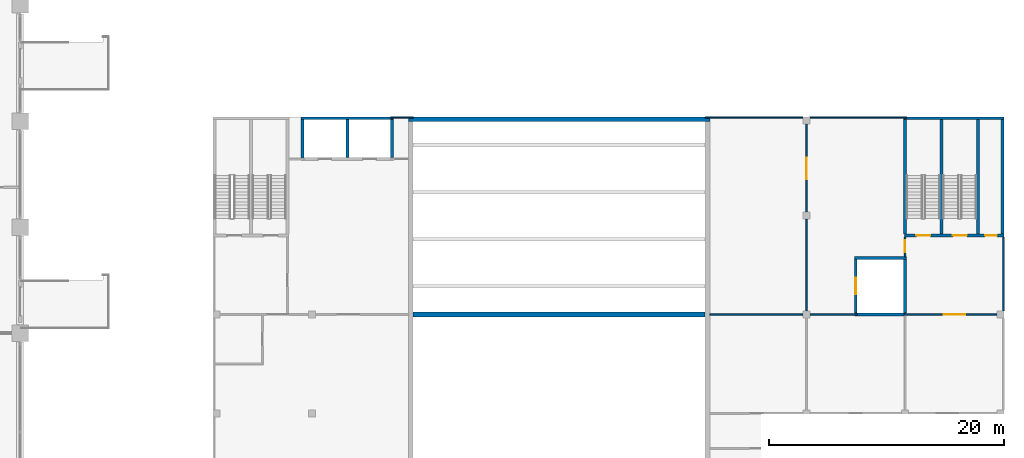
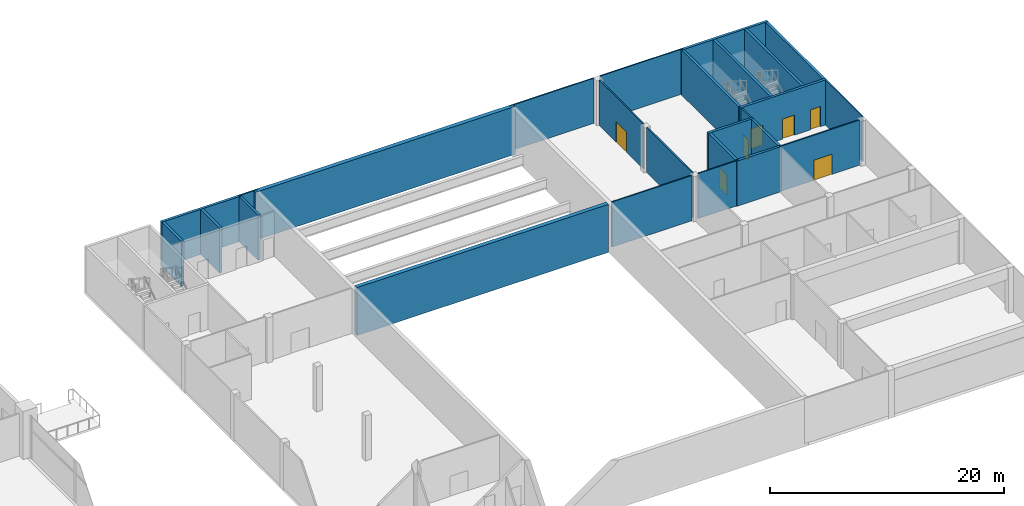
# One storey, part 25 of 33: 26 walls, 7 doors, 7 openings.
"""IFC4 building model written with IfcOpenShell, lengths in metres."""

from ifc_helpers import new_model, si_unit, direction, frame, frame_2d, origin, place, context, subcontext, project, spatial, rectangle, extrude, material, layer, layer_set, type_object, element, fill, save


model = new_model("IFC4")

# Units and contexts
model_context = context("Model", 3, precision=1e-05, world=origin(), true_north=direction((0.0, 1.0)))
body_context = subcontext(model_context, "Body", "Model", "MODEL_VIEW")
ifc_project = project(units=[si_unit("LENGTHUNIT", "METRE"), si_unit("AREAUNIT", "SQUARE_METRE"), si_unit("VOLUMEUNIT", "CUBIC_METRE"), si_unit("PLANEANGLEUNIT", "RADIAN"), si_unit("MASSUNIT", "GRAM", prefix="KILO")], contexts=[model_context])

# Site, building, storey
site_placement = place(None, origin())
site = spatial("IfcSite", under=ifc_project, at=site_placement, CompositionType="ELEMENT")
building_placement = place(site_placement, origin())
building = spatial("IfcBuilding", under=site, at=building_placement, Name="Candeia Pilgrim Tower and Theatre", CompositionType="ELEMENT")
storey_placement = place(building_placement, frame((0.0, 0.0, 29.0)))
storey = spatial("IfcBuildingStorey", under=building, at=storey_placement, Name="L04", CompositionType="ELEMENT", Elevation=29.0)

# Walls
ifc_material_1 = material(Name="Gypsum board on steel studs", Category="steel")
ifc_layer_1 = layer(ifc_material_1, 0.125)
ifc_layer_set_1 = layer_set([ifc_layer_1], Name="Partition 125")
wall_type_1 = type_object("IfcWallType", Name="Partition 125", PredefinedType="PARTITIONING", material=ifc_layer_set_1)
wall_1_placement = place(storey_placement, frame((218.199951171875, 99.60009765625, 0.0), z_axis=(0.0, 0.0, 1.0), x_axis=(1.0, 0.0, 0.0)))
element("IfcWall", 1, at=wall_1_placement, inside=storey, type_object=wall_type_1, Name="T-L04-W019", PredefinedType="PARTITIONING", context=body_context, shape_type="SweptSolid", body=[
    extrude(rectangle(XDim=7.900146484375, YDim=0.125, at=frame_2d((3.9501953125, 0.0))), origin(), (0.0, 0.0, 1.0), 4.699951171875),
])
wall_2_placement = place(storey_placement, frame((226.699951171875, 99.60009765625, 0.0), z_axis=(0.0, 0.0, 1.0), x_axis=(1.0, 0.0, 0.0)))
element("IfcWall", 2, at=wall_2_placement, inside=storey, type_object=wall_type_1, Name="T-L04-W020", PredefinedType="PARTITIONING", context=body_context, shape_type="SweptSolid", body=[
    extrude(rectangle(XDim=4.025146484375, YDim=0.125, at=frame_2d((2.0126953125, 0.0))), origin(), (0.0, 0.0, 1.0), 4.699951171875),
])

# Wall, opening, door
wall_3_placement = place(storey_placement, frame((234.737548828125, 99.60009765625, 0.0), z_axis=(0.0, 0.0, 1.0), x_axis=(1.0, 0.0, 0.0)))
wall_3 = element("IfcWall", 3, at=wall_3_placement, inside=storey, type_object=wall_type_1, Name="T-L04-W022", PredefinedType="PARTITIONING", context=body_context, shape_type="SweptSolid", body=[
    extrude(rectangle(XDim=7.862548828125, YDim=0.125, at=frame_2d((3.93115234375, 0.0))), origin(), (0.0, 0.0, 1.0), 4.699951171875),
])
opening_1_placement = place(wall_3_placement, frame((3.362548828125, 0.0, 0.0)))
opening_1 = element("IfcOpeningElement", 4, at=opening_1_placement, cuts=wall_3, Name="Opening TD-L04-031", PredefinedType="OPENING", context=body_context, shape_type="SweptSolid", body=[
    extrude(rectangle(XDim=1.800048828125, YDim=2.10009765625, at=frame_2d((0.89990234375, 1.050048828125))), frame((0.0, 0.072509765625, 0.0), z_axis=(0.0, -1.0, 0.0), x_axis=(1.0, 0.0, 0.0)), (0.0, 0.0, 1.0), 0.14501953125),
])
ifc_material_2 = material(Name="Timber door leaf", Category="wood")
door_type_1 = type_object("IfcDoorType", Name="Door double 1800x2100", OperationType="DOUBLE_DOOR_SINGLE_SWING", PredefinedType="DOOR", material=ifc_material_2)
door_1_placement = place(opening_1_placement, origin())
door_1 = element("IfcDoor", 5, at=door_1_placement, inside=storey, type_object=door_type_1, Name="Door TD-L04-031", OperationType="DOUBLE_DOOR_SINGLE_SWING", OverallHeight=2.10009765625, OverallWidth=1.800048828125, PredefinedType="DOOR", context=body_context, shape_type="SweptSolid", body=[
    extrude(rectangle(XDim=1.800048828125, YDim=2.10009765625, at=frame_2d((0.89990234375, 1.050048828125))), frame((0.0, 0.02490234375, 0.0), z_axis=(0.0, -1.0, 0.0), x_axis=(1.0, 0.0, 0.0)), (0.0, 0.0, 1.0), 0.050048828125),
])
fill(opening_1, door_1)

# Walls
wall_4_placement = place(storey_placement, frame((191.074951171875, 116.33740234375, 0.0), z_axis=(0.0, 0.0, 1.0), x_axis=(1.0, 0.0, 0.0)))
element("IfcWall", 6, at=wall_4_placement, inside=storey, type_object=wall_type_1, Name="T-L04-W033", PredefinedType="PARTITIONING", context=body_context, shape_type="SweptSolid", body=[
    extrude(rectangle(XDim=1.925048828125, YDim=0.125, at=frame_2d((0.96240234375, 0.0))), origin(), (0.0, 0.0, 1.0), 4.699951171875),
])
wall_5_placement = place(storey_placement, frame((217.800048828125, 116.33740234375, 0.0), z_axis=(0.0, 0.0, 1.0), x_axis=(1.0, 0.0, 0.0)))
element("IfcWall", 7, at=wall_5_placement, inside=storey, type_object=wall_type_1, Name="T-L04-W034", PredefinedType="PARTITIONING", context=body_context, shape_type="SweptSolid", body=[
    extrude(rectangle(XDim=8.300048828125, YDim=0.125, at=frame_2d((4.14990234375, 0.0))), origin(), (0.0, 0.0, 1.0), 4.699951171875),
])
wall_6_placement = place(storey_placement, frame((226.699951171875, 116.33740234375, 0.0), z_axis=(0.0, 0.0, 1.0), x_axis=(1.0, 0.0, 0.0)))
element("IfcWall", 8, at=wall_6_placement, inside=storey, type_object=wall_type_1, Name="T-L04-W035", PredefinedType="PARTITIONING", context=body_context, shape_type="SweptSolid", body=[
    extrude(rectangle(XDim=8.22509765625, YDim=0.125, at=frame_2d((4.112548828125, 0.0))), origin(), (0.0, 0.0, 1.0), 4.699951171875),
])
wall_7_placement = place(storey_placement, frame((226.39990234375, 99.89990234375, 0.0), z_axis=(0.0, 0.0, 1.0), x_axis=(0.0, 1.0, 0.0)))
element("IfcWall", 9, at=wall_7_placement, inside=storey, type_object=wall_type_1, Name="T-L04-W058", PredefinedType="PARTITIONING", context=body_context, shape_type="SweptSolid", body=[
    extrude(rectangle(XDim=7.800048828125, YDim=0.125, at=frame_2d((3.89990234375, 0.0))), origin(), (0.0, 0.0, 1.0), 4.699951171875),
])

# Wall, opening, door
wall_8_placement = place(storey_placement, frame((226.39990234375, 108.300048828125, 0.0), z_axis=(0.0, 0.0, 1.0), x_axis=(0.0, 1.0, 0.0)))
wall_8 = element("IfcWall", 10, at=wall_8_placement, inside=storey, type_object=wall_type_1, Name="T-L04-W059", PredefinedType="PARTITIONING", context=body_context, shape_type="SweptSolid", body=[
    extrude(rectangle(XDim=7.5, YDim=0.125, at=frame_2d((3.75, 0.0))), origin(), (0.0, 0.0, 1.0), 4.699951171875),
])
opening_2_placement = place(wall_8_placement, frame((2.800048828125, 0.0, 0.0)))
opening_2 = element("IfcOpeningElement", 11, at=opening_2_placement, cuts=wall_8, Name="Opening TD-L04-032", PredefinedType="OPENING", context=body_context, shape_type="SweptSolid", body=[
    extrude(rectangle(XDim=1.800048828125, YDim=2.10009765625, at=frame_2d((0.89990234375, 1.050048828125))), frame((0.0, 0.072509765625, 0.0), z_axis=(0.0, -1.0, 0.0), x_axis=(1.0, 0.0, 0.0)), (0.0, 0.0, 1.0), 0.14501953125),
])
door_2_placement = place(opening_2_placement, origin())
door_2 = element("IfcDoor", 12, at=door_2_placement, inside=storey, type_object=door_type_1, Name="Door TD-L04-032", OperationType="DOUBLE_DOOR_SINGLE_SWING", OverallHeight=2.10009765625, OverallWidth=1.800048828125, PredefinedType="DOOR", context=body_context, shape_type="SweptSolid", body=[
    extrude(rectangle(XDim=1.800048828125, YDim=2.10009765625, at=frame_2d((0.89990234375, 1.050048828125))), frame((0.0, 0.02490234375, 0.0), z_axis=(0.0, -1.0, 0.0), x_axis=(1.0, 0.0, 0.0)), (0.0, 0.0, 1.0), 0.050048828125),
])
fill(opening_2, door_2)

wall_9_placement = place(storey_placement, frame((234.800048828125, 104.52490234375, 0.0), z_axis=(0.0, 0.0, 1.0), x_axis=(0.0, 1.0, 0.0)))
wall_9 = element("IfcWall", 13, at=wall_9_placement, inside=storey, type_object=wall_type_1, Name="T-L04-W065", PredefinedType="PARTITIONING", context=body_context, shape_type="SweptSolid", body=[
    extrude(rectangle(XDim=1.650146484375, YDim=0.125, at=frame_2d((0.8251953125, 0.0))), origin(), (0.0, 0.0, 1.0), 4.699951171875),
])
opening_3_placement = place(wall_9_placement, frame((0.375, 0.0, 0.0)))
opening_3 = element("IfcOpeningElement", 14, at=opening_3_placement, cuts=wall_9, Name="Opening TD-L04-010", PredefinedType="OPENING", context=body_context, shape_type="SweptSolid", body=[
    extrude(rectangle(XDim=1.0, YDim=2.10009765625, at=frame_2d((0.5, 1.050048828125))), frame((0.0, 0.072509765625, 0.0), z_axis=(0.0, -1.0, 0.0), x_axis=(1.0, 0.0, 0.0)), (0.0, 0.0, 1.0), 0.14501953125),
])
ifc_material_3 = material(Name="Steel fire door leaf", Category="steel")
door_type_2 = type_object("IfcDoorType", Name="Door fire single 1000x2100", OperationType="NOTDEFINED", PredefinedType="DOOR", material=ifc_material_3)
door_3_placement = place(opening_3_placement, origin())
door_3 = element("IfcDoor", 15, at=door_3_placement, inside=storey, type_object=door_type_2, Name="Door TD-L04-010", OperationType="SINGLE_SWING_RIGHT", OverallHeight=2.10009765625, OverallWidth=1.0, PredefinedType="DOOR", context=body_context, shape_type="SweptSolid", body=[
    extrude(rectangle(XDim=1.0, YDim=2.10009765625, at=frame_2d((0.5, 1.050048828125))), frame((0.0, 0.02490234375, 0.0), z_axis=(0.0, -1.0, 0.0), x_axis=(1.0, 0.0, 0.0)), (0.0, 0.0, 1.0), 0.050048828125),
])
fill(opening_3, door_3)

# Walls
wall_10_placement = place(storey_placement, frame((243.137451171875, 99.89990234375, 0.0), z_axis=(0.0, 0.0, 1.0), x_axis=(0.0, 1.0, 0.0)))
element("IfcWall", 16, at=wall_10_placement, inside=storey, type_object=wall_type_1, Name="T-L04-W075", PredefinedType="PARTITIONING", context=body_context, shape_type="SweptSolid", body=[
    extrude(rectangle(XDim=6.275146484375, YDim=0.125, at=frame_2d((3.1376953125, 0.0))), origin(), (0.0, 0.0, 1.0), 4.699951171875),
])
ifc_material_4 = material(Name="Concrete C35/45", Category="concrete")
ifc_layer_2 = layer(ifc_material_4, 0.25)
ifc_layer_set_2 = layer_set([ifc_layer_2], Name="RC wall 250 C35/45")
wall_type_2 = type_object("IfcWallType", Name="RC wall 250 C35/45", PredefinedType="SOLIDWALL", material=ifc_layer_set_2)
wall_11_placement = place(storey_placement, frame((230.47509765625, 99.60009765625, 0.0), z_axis=(0.0, 0.0, 1.0), x_axis=(1.0, 0.0, 0.0)))
element("IfcWall", 17, at=wall_11_placement, inside=storey, type_object=wall_type_2, Name="T-L04-W021", PredefinedType="SOLIDWALL", context=body_context, shape_type="SweptSolid", body=[
    extrude(rectangle(XDim=4.387451171875, YDim=0.25, at=frame_2d((2.19384765625, 0.0))), origin(), (0.0, 0.0, 1.0), 4.699951171875),
])
wall_12_placement = place(storey_placement, frame((230.47509765625, 104.39990234375, 0.0), z_axis=(0.0, 0.0, 1.0), x_axis=(1.0, 0.0, 0.0)))
element("IfcWall", 18, at=wall_12_placement, inside=storey, type_object=wall_type_2, Name="T-L04-W023", PredefinedType="SOLIDWALL", context=body_context, shape_type="SweptSolid", body=[
    extrude(rectangle(XDim=4.449951171875, YDim=0.25, at=frame_2d((2.22509765625, 0.0))), origin(), (0.0, 0.0, 1.0), 4.699951171875),
])

# Wall, openings, doors
wall_13_placement = place(storey_placement, frame((234.737548828125, 106.300048828125, 0.0), z_axis=(0.0, 0.0, 1.0), x_axis=(1.0, 0.0, 0.0)))
wall_13 = element("IfcWall", 19, at=wall_13_placement, inside=storey, type_object=wall_type_2, Name="T-L04-W025", PredefinedType="SOLIDWALL", context=body_context, shape_type="SweptSolid", body=[
    extrude(rectangle(XDim=8.46240234375, YDim=0.25, at=frame_2d((4.231201171875, 0.0))), origin(), (0.0, 0.0, 1.0), 4.699951171875),
])
opening_4_placement = place(wall_13_placement, frame((1.012451171875, 0.0, 0.0)))
opening_4 = element("IfcOpeningElement", 20, at=opening_4_placement, cuts=wall_13, Name="Opening TD-L04-007", PredefinedType="OPENING", context=body_context, shape_type="SweptSolid", body=[
    extrude(rectangle(XDim=1.199951171875, YDim=2.10009765625, at=frame_2d((0.60009765625, 1.050048828125))), frame((0.0, 0.135009765625, 0.0), z_axis=(0.0, -1.0, 0.0), x_axis=(1.0, 0.0, 0.0)), (0.0, 0.0, 1.0), 0.27001953125),
])
opening_5_placement = place(wall_13_placement, frame((4.112548828125, 0.0, 0.0)))
opening_5 = element("IfcOpeningElement", 21, at=opening_5_placement, cuts=wall_13, Name="Opening TD-L04-008", PredefinedType="OPENING", context=body_context, shape_type="SweptSolid", body=[
    extrude(rectangle(XDim=1.199951171875, YDim=2.10009765625, at=frame_2d((0.60009765625, 1.050048828125))), frame((0.0, 0.135009765625, 0.0), z_axis=(0.0, -1.0, 0.0), x_axis=(1.0, 0.0, 0.0)), (0.0, 0.0, 1.0), 0.27001953125),
])
opening_6_placement = place(wall_13_placement, frame((6.862548828125, 0.0, 0.0)))
opening_6 = element("IfcOpeningElement", 22, at=opening_6_placement, cuts=wall_13, Name="Opening TD-L04-009", PredefinedType="OPENING", context=body_context, shape_type="SweptSolid", body=[
    extrude(rectangle(XDim=1.0, YDim=2.10009765625, at=frame_2d((0.5, 1.050048828125))), frame((0.0, 0.135009765625, 0.0), z_axis=(0.0, -1.0, 0.0), x_axis=(1.0, 0.0, 0.0)), (0.0, 0.0, 1.0), 0.27001953125),
])
door_type_3 = type_object("IfcDoorType", Name="Door exit single 1200x2100", OperationType="NOTDEFINED", PredefinedType="DOOR", material=ifc_material_3)
door_4_placement = place(opening_4_placement, origin())
door_4 = element("IfcDoor", 23, at=door_4_placement, inside=storey, type_object=door_type_3, Name="Door TD-L04-007", OperationType="SINGLE_SWING_LEFT", OverallHeight=2.10009765625, OverallWidth=1.199951171875, PredefinedType="DOOR", context=body_context, shape_type="SweptSolid", body=[
    extrude(rectangle(XDim=1.199951171875, YDim=2.10009765625, at=frame_2d((0.60009765625, 1.050048828125))), frame((0.0, 0.02490234375, 0.0), z_axis=(0.0, -1.0, 0.0), x_axis=(1.0, 0.0, 0.0)), (0.0, 0.0, 1.0), 0.050048828125),
])
fill(opening_4, door_4)
door_5_placement = place(opening_5_placement, origin())
door_5 = element("IfcDoor", 24, at=door_5_placement, inside=storey, type_object=door_type_3, Name="Door TD-L04-008", OperationType="SINGLE_SWING_RIGHT", OverallHeight=2.10009765625, OverallWidth=1.199951171875, PredefinedType="DOOR", context=body_context, shape_type="SweptSolid", body=[
    extrude(rectangle(XDim=1.199951171875, YDim=2.10009765625, at=frame_2d((0.60009765625, 1.050048828125))), frame((0.0, 0.02490234375, 0.0), z_axis=(0.0, -1.0, 0.0), x_axis=(1.0, 0.0, 0.0)), (0.0, 0.0, 1.0), 0.050048828125),
])
fill(opening_5, door_5)
door_6_placement = place(opening_6_placement, origin())
door_6 = element("IfcDoor", 25, at=door_6_placement, inside=storey, type_object=door_type_2, Name="Door TD-L04-009", OperationType="SINGLE_SWING_LEFT", OverallHeight=2.10009765625, OverallWidth=1.0, PredefinedType="DOOR", context=body_context, shape_type="SweptSolid", body=[
    extrude(rectangle(XDim=1.0, YDim=2.10009765625, at=frame_2d((0.5, 1.050048828125))), frame((0.0, 0.02490234375, 0.0), z_axis=(0.0, -1.0, 0.0), x_axis=(1.0, 0.0, 0.0)), (0.0, 0.0, 1.0), 0.050048828125),
])
fill(opening_6, door_6)

# Walls
wall_14_placement = place(storey_placement, frame((183.47509765625, 116.27490234375, 0.0), z_axis=(0.0, 0.0, 1.0), x_axis=(1.0, 0.0, 0.0)))
element("IfcWall", 26, at=wall_14_placement, inside=storey, type_object=wall_type_2, Name="T-L04-W031", PredefinedType="SOLIDWALL", context=body_context, shape_type="SweptSolid", body=[
    extrude(rectangle(XDim=7.849853515625, YDim=0.25, at=frame_2d((3.9248046875, 0.0))), origin(), (0.0, 0.0, 1.0), 4.699951171875),
])
wall_15_placement = place(storey_placement, frame((234.675048828125, 116.27490234375, 0.0), z_axis=(0.0, 0.0, 1.0), x_axis=(1.0, 0.0, 0.0)))
element("IfcWall", 27, at=wall_15_placement, inside=storey, type_object=wall_type_2, Name="T-L04-W032", PredefinedType="SOLIDWALL", context=body_context, shape_type="SweptSolid", body=[
    extrude(rectangle(XDim=8.52490234375, YDim=0.25, at=frame_2d((4.262451171875, 0.0))), origin(), (0.0, 0.0, 1.0), 4.699951171875),
])
wall_16_placement = place(storey_placement, frame((183.60009765625, 112.862548828125, 0.0), z_axis=(0.0, 0.0, 1.0), x_axis=(0.0, 1.0, 0.0)))
element("IfcWall", 28, at=wall_16_placement, inside=storey, type_object=wall_type_2, Name="T-L04-W046", PredefinedType="SOLIDWALL", context=body_context, shape_type="SweptSolid", body=[
    extrude(rectangle(XDim=3.287353515625, YDim=0.25, at=frame_2d((1.6435546875, 0.0))), origin(), (0.0, 0.0, 1.0), 4.699951171875),
])
for number, where, z_axis, x_axis, name in (
    (29, (187.39990234375, 112.925048828125, 0.0), (0.0, 0.0, 1.0), (0.0, 1.0, 0.0), "T-L04-W048"),
    (30, (191.199951171875, 112.925048828125, 0.0), (0.0, 0.0, 1.0), (0.0, 1.0, 0.0), "T-L04-W051"),
):
    element("IfcWall", number, at=place(storey_placement, frame(where, z_axis=z_axis, x_axis=x_axis)), inside=storey, type_object=wall_type_2, Name=name, PredefinedType="SOLIDWALL", context=body_context, shape_type="SweptSolid", body=[
        extrude(rectangle(XDim=3.224853515625, YDim=0.25, at=frame_2d((1.6123046875, 0.0))), origin(), (0.0, 0.0, 1.0), 4.699951171875),
    ])

# Wall, opening, door
wall_17_placement = place(storey_placement, frame((230.60009765625, 99.66259765625, 0.0), z_axis=(0.0, 0.0, 1.0), x_axis=(0.0, 1.0, 0.0)))
wall_17 = element("IfcWall", 31, at=wall_17_placement, inside=storey, type_object=wall_type_2, Name="T-L04-W061", PredefinedType="SOLIDWALL", context=body_context, shape_type="SweptSolid", body=[
    extrude(rectangle(XDim=4.6123046875, YDim=0.25, at=frame_2d((2.30615234375, 0.0))), origin(), (0.0, 0.0, 1.0), 4.699951171875),
])
opening_7_placement = place(wall_17_placement, frame((1.637451171875, 0.0, 0.0)))
opening_7 = element("IfcOpeningElement", 32, at=opening_7_placement, cuts=wall_17, Name="Opening TD-L04-011", PredefinedType="OPENING", context=body_context, shape_type="SweptSolid", body=[
    extrude(rectangle(XDim=1.39990234375, YDim=2.10009765625, at=frame_2d((0.699951171875, 1.050048828125))), frame((0.0, 0.135009765625, 0.0), z_axis=(0.0, -1.0, 0.0), x_axis=(1.0, 0.0, 0.0)), (0.0, 0.0, 1.0), 0.27001953125),
])
ifc_material_5 = material(Name="Stainless steel landing door", Category="steel")
door_type_4 = type_object("IfcDoorType", Name="Door goods lift landing 1400x2100", OperationType="DOUBLE_DOOR_SLIDING", PredefinedType="DOOR", material=ifc_material_5)
door_7_placement = place(opening_7_placement, origin())
door_7 = element("IfcDoor", 33, at=door_7_placement, inside=storey, type_object=door_type_4, Name="Door TD-L04-011", OperationType="DOUBLE_DOOR_SLIDING", OverallHeight=2.10009765625, OverallWidth=1.39990234375, PredefinedType="DOOR", context=body_context, shape_type="SweptSolid", body=[
    extrude(rectangle(XDim=1.39990234375, YDim=2.10009765625, at=frame_2d((0.699951171875, 1.050048828125))), frame((0.0, 0.02490234375, 0.0), z_axis=(0.0, -1.0, 0.0), x_axis=(1.0, 0.0, 0.0)), (0.0, 0.0, 1.0), 0.050048828125),
])
fill(opening_7, door_7)

# Walls
wall_18_placement = place(storey_placement, frame((234.800048828125, 99.72509765625, 0.0), z_axis=(0.0, 0.0, 1.0), x_axis=(0.0, 1.0, 0.0)))
element("IfcWall", 34, at=wall_18_placement, inside=storey, type_object=wall_type_2, Name="T-L04-W064", PredefinedType="SOLIDWALL", context=body_context, shape_type="SweptSolid", body=[
    extrude(rectangle(XDim=4.5498046875, YDim=0.25, at=frame_2d((2.27490234375, 0.0))), origin(), (0.0, 0.0, 1.0), 4.699951171875),
])
wall_19_placement = place(storey_placement, frame((234.800048828125, 106.425048828125, 0.0), z_axis=(0.0, 0.0, 1.0), x_axis=(0.0, 1.0, 0.0)))
element("IfcWall", 35, at=wall_19_placement, inside=storey, type_object=wall_type_2, Name="T-L04-W066", PredefinedType="SOLIDWALL", context=body_context, shape_type="SweptSolid", body=[
    extrude(rectangle(XDim=9.849853515625, YDim=0.25, at=frame_2d((4.9248046875, 0.0))), origin(), (0.0, 0.0, 1.0), 4.699951171875),
])
for number, where, z_axis, x_axis, name in (
    (36, (237.89990234375, 106.425048828125, 0.0), (0.0, 0.0, 1.0), (0.0, 1.0, 0.0), "T-L04-W067"),
    (37, (241.0, 106.425048828125, 0.0), (0.0, 0.0, 1.0), (0.0, 1.0, 0.0), "T-L04-W069"),
    (38, (243.074951171875, 106.425048828125, 0.0), (0.0, 0.0, 1.0), (0.0, 1.0, 0.0), "T-L04-W070"),
):
    element("IfcWall", number, at=place(storey_placement, frame(where, z_axis=z_axis, x_axis=x_axis)), inside=storey, type_object=wall_type_2, Name=name, PredefinedType="SOLIDWALL", context=body_context, shape_type="SweptSolid", body=[
        extrude(rectangle(XDim=9.724853515625, YDim=0.25, at=frame_2d((4.8623046875, 0.0))), origin(), (0.0, 0.0, 1.0), 4.699951171875),
    ])
ifc_material_6 = material(Name="Concrete C40/50", Category="concrete")
ifc_layer_3 = layer(ifc_material_6, 0.39990234375)
ifc_layer_set_3 = layer_set([ifc_layer_3], Name="RC wall 400 house C40/50")
wall_type_3 = type_object("IfcWallType", Name="RC wall 400 house C40/50", PredefinedType="SOLIDWALL", material=ifc_layer_set_3)
wall_20_placement = place(storey_placement, frame((193.0, 99.60009765625, -0.300048828125), z_axis=(0.0, 0.0, 1.0), x_axis=(1.0, 0.0, 0.0)))
element("IfcWall", 39, at=wall_20_placement, inside=storey, type_object=wall_type_3, Name="T-L04-W018", PredefinedType="SOLIDWALL", context=body_context, shape_type="SweptSolid", body=[
    extrude(rectangle(XDim=24.800048828125, YDim=0.39990234375, at=frame_2d((12.39990234375, 0.0))), origin(), (0.0, 0.0, 1.0), 5.0),
])
wall_21_placement = place(storey_placement, frame((192.60009765625, 116.199951171875, -0.300048828125), z_axis=(0.0, 0.0, 1.0), x_axis=(1.0, 0.0, 0.0)))
element("IfcWall", 40, at=wall_21_placement, inside=storey, type_object=wall_type_3, Name="T-L04-W029", PredefinedType="SOLIDWALL", context=body_context, shape_type="SweptSolid", body=[
    extrude(rectangle(XDim=25.599853515625, YDim=0.39990234375, at=frame_2d((12.7998046875, 0.0))), origin(), (0.0, 0.0, 1.0), 5.0),
])

save(model, "model.ifc")
